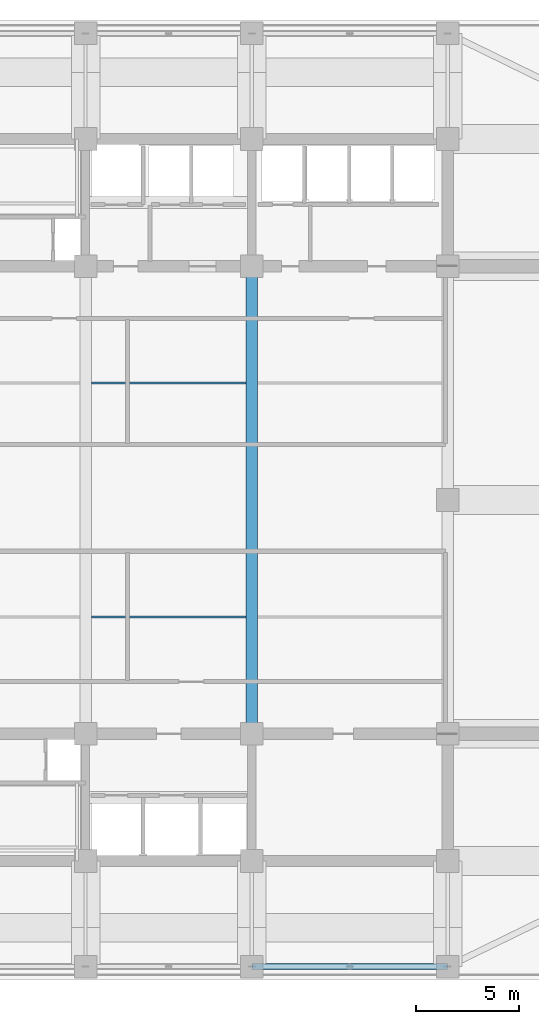
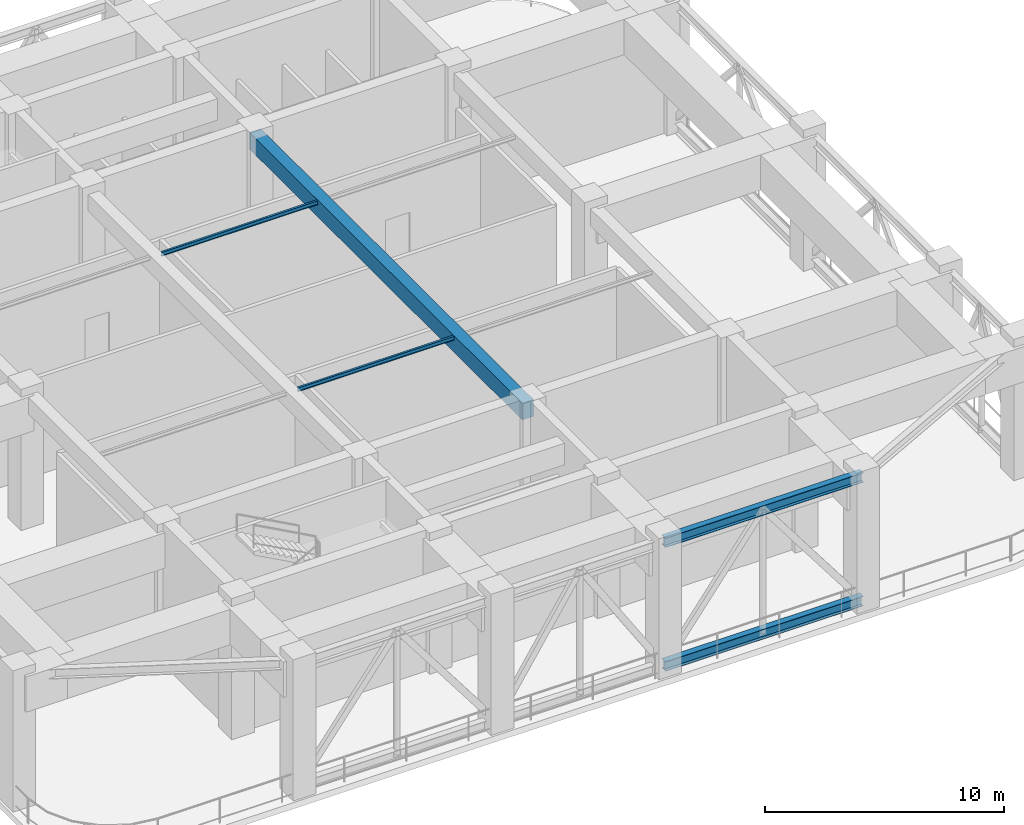
# One storey, part 5 of 20: 5 beams.
"""IFC4 building model written with IfcOpenShell, lengths in metres."""

from ifc_helpers import new_model, si_unit, direction, frame, origin, origin_2d, place, context, subcontext, project, spatial, rectangle, i_section, extrude, material, material_profile, profile_set, type_object, element, save


model = new_model("IFC4")

# Units and contexts
model_context = context("Model", 3, precision=1e-05, world=origin(), true_north=direction((0.0, 1.0)))
body_context = subcontext(model_context, "Body", "Model", "MODEL_VIEW")
ifc_project = project(units=[si_unit("LENGTHUNIT", "METRE"), si_unit("AREAUNIT", "SQUARE_METRE"), si_unit("VOLUMEUNIT", "CUBIC_METRE"), si_unit("PLANEANGLEUNIT", "RADIAN"), si_unit("MASSUNIT", "GRAM", prefix="KILO")], contexts=[model_context])

# Site, building, storey
site_placement = place(None, origin())
site = spatial("IfcSite", under=ifc_project, at=site_placement, CompositionType="ELEMENT")
building_placement = place(site_placement, origin())
building = spatial("IfcBuilding", under=site, at=building_placement, Name="Svetorya Sky Lyceum", CompositionType="ELEMENT")
storey_placement = place(building_placement, frame((0.0, 0.0, 136.39990234375)))
storey = spatial("IfcBuildingStorey", under=building, at=storey_placement, Name="L34", CompositionType="ELEMENT", Elevation=136.39990234375)

# Beams
ifc_material_1 = material(Name="Concrete C50/60", Category="concrete")
ifc_material_profile_1 = material_profile(ifc_material_1, rectangle(XDim=0.550048828125, YDim=0.85009765625, at=origin_2d()), Name="RC BEAM 550x850")
ifc_profile_set_1 = profile_set([ifc_material_profile_1], Name="Concrete C50/60")
beam_type_1 = type_object("IfcBeamType", Name="BM-RC-850", PredefinedType="BEAM", material=ifc_profile_set_1)
beam_placement = place(storey_placement, frame((43.25, 16.800048828125, 6.375), z_axis=(0.0, 1.0, 0.0), x_axis=(-1.0, 0.0, 0.0)))
element("IfcBeam", 1, at=beam_placement, inside=storey, type_object=beam_type_1, Name="L34 Central Bay Primary Girder CG-3", PredefinedType="BEAM", context=body_context, shape_type="SweptSolid", body=[
    extrude(rectangle(XDim=0.550048828125, YDim=0.85009765625, at=origin_2d()), origin(), (0.0, 0.0, 1.0), 22.800048828125),
])
ifc_material_2 = material(Name="Steel S355", Category="steel")
ifc_material_profile_2 = material_profile(ifc_material_2, i_section(OverallWidth=0.10009765625, OverallDepth=0.199951171875, WebThickness=0.005615234375, FlangeThickness=0.008544921875, at=origin_2d()), Name="GOST 20B1")
ifc_profile_set_2 = profile_set([ifc_material_profile_2], Name="Steel S355")
beam_type_2 = type_object("IfcBeamType", Name="BM-STL-20B1", PredefinedType="JOIST", material=ifc_profile_set_2)
for number, where, z_axis, x_axis, name in (
    (2, (35.425048828125, 22.5, 6.7001953125), (1.0, 0.0, 0.0), (0.0, 1.0, 0.0), "L34 Central Floor Joist CJ-1.2"),
    (3, (35.425048828125, 33.89990234375, 6.7001953125), (1.0, 0.0, 0.0), (0.0, 1.0, 0.0), "L34 Central Floor Joist CJ-3.2"),
):
    element("IfcBeam", number, at=place(storey_placement, frame(where, z_axis=z_axis, x_axis=x_axis)), inside=storey, type_object=beam_type_2, Name=name, PredefinedType="JOIST", context=body_context, shape_type="SweptSolid", body=[
        extrude(i_section(OverallWidth=0.10009765625, OverallDepth=0.199951171875, WebThickness=0.005615234375, FlangeThickness=0.008544921875, at=origin_2d()), origin(), (0.0, 0.0, 1.0), 7.550048828125),
    ])
ifc_material_profile_3 = material_profile(ifc_material_2, i_section(OverallWidth=0.300048828125, OverallDepth=0.491943359375, WebThickness=0.012939453125, FlangeThickness=0.0205078125, at=origin_2d()), Name="GOST 50Sh2")
ifc_profile_set_3 = profile_set([ifc_material_profile_3], Name="Steel S355")
beam_type_3 = type_object("IfcBeamType", Name="BM-STL-50SH2", PredefinedType="BEAM", material=ifc_profile_set_3)
for number, where, z_axis, x_axis, name in (
    (4, (43.25, 5.449951171875, 0.24609375), (1.0, 0.0, 0.0), (0.0, 1.0, 0.0), "L34 Belt Truss Bottom Chord S-3"),
    (5, (43.25, 5.449951171875, 6.55419921875), (1.0, 0.0, 0.0), (0.0, 1.0, 0.0), "L34 Belt Truss Top Chord S-3"),
):
    element("IfcBeam", number, at=place(storey_placement, frame(where, z_axis=z_axis, x_axis=x_axis)), inside=storey, type_object=beam_type_3, Name=name, PredefinedType="BEAM", context=body_context, shape_type="SweptSolid", body=[
        extrude(i_section(OverallWidth=0.300048828125, OverallDepth=0.491943359375, WebThickness=0.012939453125, FlangeThickness=0.0205078125, at=origin_2d()), origin(), (0.0, 0.0, 1.0), 9.550048828125),
    ])

save(model, "model.ifc")
